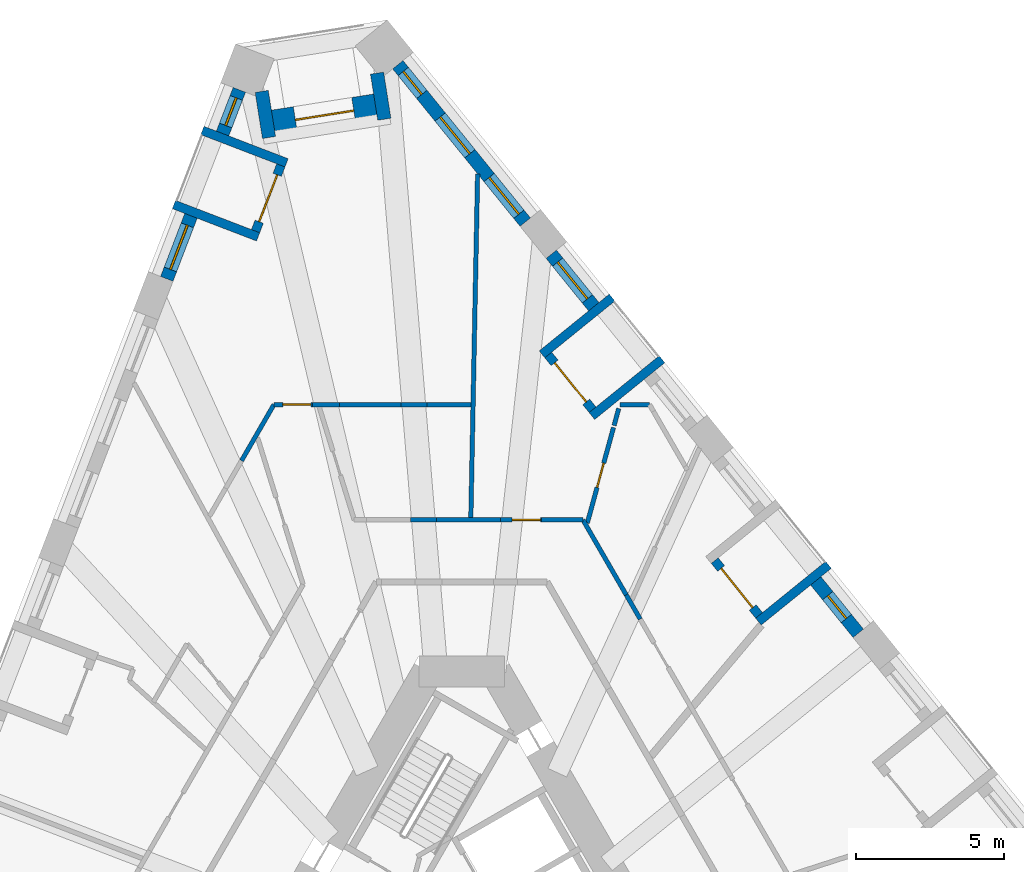
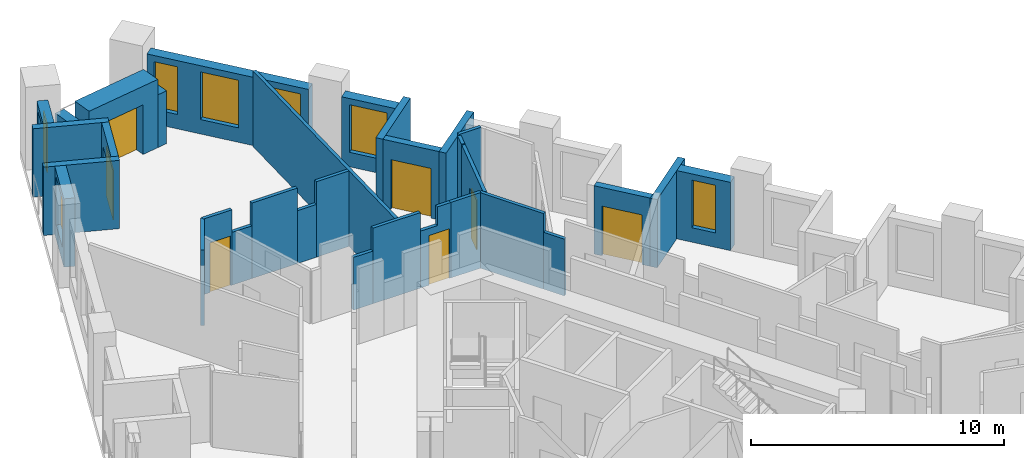
# One storey, part 9 of 14: 32 walls, 7 doors, 7 windows, 14 openings.
"""IFC4 building model written with IfcOpenShell, lengths in metres."""

from ifc_helpers import new_model, si_unit, direction, frame, frame_2d, origin, place, context, subcontext, project, spatial, polyline, rectangle, outline, extrude, material, layer, layer_set, type_object, element, fill, save


model = new_model("IFC4")

# Units and contexts
model_context = context("Model", 3, precision=1e-05, world=origin(), true_north=direction((0.0, 1.0)))
body_context = subcontext(model_context, "Body", "Model", "MODEL_VIEW")
ifc_project = project(units=[si_unit("LENGTHUNIT", "METRE"), si_unit("AREAUNIT", "SQUARE_METRE"), si_unit("VOLUMEUNIT", "CUBIC_METRE"), si_unit("PLANEANGLEUNIT", "RADIAN"), si_unit("MASSUNIT", "GRAM", prefix="KILO")], contexts=[model_context])

# Site, building, storey
site_placement = place(None, origin())
site = spatial("IfcSite", under=ifc_project, at=site_placement, CompositionType="ELEMENT")
building_placement = place(site_placement, origin())
building = spatial("IfcBuilding", under=site, at=building_placement, Name="Tramontana Tower", CompositionType="ELEMENT")
storey_placement = place(building_placement, frame((0.0, 0.0, 71.199951171875)))
storey = spatial("IfcBuildingStorey", under=building, at=storey_placement, Name="L15", CompositionType="ELEMENT", Elevation=71.199951171875)

# Wall, opening, window
ifc_material_1 = material(Name="Precast concrete 60 MPa", Category="concrete")
ifc_layer_1 = layer(ifc_material_1, 0.449951171875)
ifc_layer_set_1 = layer_set([ifc_layer_1], Name="Precast concrete 60 MPa, 450 mm")
wall_type_1 = type_object("IfcWallType", Name="EW1 Stone-faced precast wall 450", PredefinedType="SOLIDWALL", material=ifc_layer_set_1)
wall_1_placement = place(storey_placement, frame((-7.521728515625, 30.14453125, 0.0), z_axis=(0.0, 0.0, 1.0), x_axis=(-0.358431261356, -0.933556120907, 0.0)))
wall_1 = element("IfcWall", 1, at=wall_1_placement, inside=storey, type_object=wall_type_1, Name="External wall L15 face 0 bay 1", PredefinedType="SOLIDWALL", context=body_context, shape_type="SweptSolid", body=[
    extrude(rectangle(XDim=1.5830078125, YDim=0.449951171875, at=frame_2d((0.79150390625, 0.0))), origin(), (0.0, 0.0, 1.0), 3.300048828125),
])
opening_1_placement = place(wall_1_placement, frame((0.29150390625, 0.0, 0.699951171875)))
opening_1 = element("IfcOpeningElement", 2, at=opening_1_placement, cuts=wall_1, Name="Opening N1", PredefinedType="OPENING", context=body_context, shape_type="SweptSolid", body=[
    extrude(rectangle(XDim=1.0, YDim=2.300048828125, at=frame_2d((0.5, 1.14990234375))), frame((0.0, 0.23486328125, 0.0), z_axis=(0.0, -1.0, 0.0), x_axis=(1.0, 0.0, 0.0)), (0.0, 0.0, 1.0), 0.469970703125),
])
ifc_material_2 = material(Name="Aluminum frame, double glazing unit", Category="aluminium")
window_type_1 = type_object("IfcWindowType", Name="N1 Window 1 x 2.3", PartitioningType="SINGLE_PANEL", PredefinedType="WINDOW", material=ifc_material_2)
window_1_placement = place(opening_1_placement, origin())
window_1 = element("IfcWindow", 3, at=window_1_placement, inside=storey, type_object=window_type_1, Name="Window N1 L15 face 0 module 1", OverallHeight=2.300048828125, OverallWidth=1.0, PartitioningType="SINGLE_PANEL", PredefinedType="WINDOW", context=body_context, shape_type="SweptSolid", body=[
    extrude(rectangle(XDim=1.0, YDim=2.300048828125, at=frame_2d((0.5, 1.14990234375))), frame((0.0, 0.030029296875, 0.0), z_axis=(0.0, -1.0, 0.0), x_axis=(1.0, 0.0, 0.0)), (0.0, 0.0, 1.0), 0.06005859375),
])
fill(opening_1, window_1)

wall_2_placement = place(storey_placement, frame((-9.157958984375, 25.8818359375, 0.0), z_axis=(0.0, 0.0, 1.0), x_axis=(-0.358355550725, -0.933585185864, 0.0)))
wall_2 = element("IfcWall", 4, at=wall_2_placement, inside=storey, type_object=wall_type_1, Name="External wall L15 face 0 bay 1", PredefinedType="SOLIDWALL", context=body_context, shape_type="SweptSolid", body=[
    extrude(rectangle(XDim=2.282958984375, YDim=0.449951171875, at=frame_2d((1.1416015625, 0.0))), origin(), (0.0, 0.0, 1.0), 3.300048828125),
])
opening_2_placement = place(wall_2_placement, frame((0.341552734375, 0.0, 0.699951171875)))
opening_2 = element("IfcOpeningElement", 5, at=opening_2_placement, cuts=wall_2, Name="Opening M1", PredefinedType="OPENING", context=body_context, shape_type="SweptSolid", body=[
    extrude(rectangle(XDim=1.60009765625, YDim=2.300048828125, at=frame_2d((0.800048828125, 1.14990234375))), frame((0.0, 0.23486328125, 0.0), z_axis=(0.0, -1.0, 0.0), x_axis=(1.0, 0.0, 0.0)), (0.0, 0.0, 1.0), 0.469970703125),
])
ifc_material_3 = material(Name="Aluminum frame, double glazing unit", Category="aluminium")
window_type_2 = type_object("IfcWindowType", Name="M1 Window 1.6 x 2.3", PartitioningType="SINGLE_PANEL", PredefinedType="WINDOW", material=ifc_material_3)
window_2_placement = place(opening_2_placement, origin())
window_2 = element("IfcWindow", 6, at=window_2_placement, inside=storey, type_object=window_type_2, Name="Window M1 L15 face 0 module 3", OverallHeight=2.300048828125, OverallWidth=1.60009765625, PartitioningType="SINGLE_PANEL", PredefinedType="WINDOW", context=body_context, shape_type="SweptSolid", body=[
    extrude(rectangle(XDim=1.60009765625, YDim=2.300048828125, at=frame_2d((0.800048828125, 1.14990234375))), frame((0.0, 0.030029296875, 0.0), z_axis=(0.0, -1.0, 0.0), x_axis=(1.0, 0.0, 0.0)), (0.0, 0.0, 1.0), 0.06005859375),
])
fill(opening_2, window_2)

wall_3_placement = place(storey_placement, frame((13.412109375, 11.76171875, 0.0), z_axis=(0.0, 0.0, 1.0), x_axis=(-0.629339730135, 0.777130300576, 0.0)))
wall_3 = element("IfcWall", 7, at=wall_3_placement, inside=storey, type_object=wall_type_1, Name="External wall L15 face 2 bay 4", PredefinedType="SOLIDWALL", context=body_context, shape_type="SweptSolid", body=[
    extrude(rectangle(XDim=2.282958984375, YDim=0.449951171875, at=frame_2d((1.1416015625, 0.0))), origin(), (0.0, 0.0, 1.0), 3.300048828125),
])
opening_3_placement = place(wall_3_placement, frame((0.6416015625, 0.0, 0.699951171875)))
opening_3 = element("IfcOpeningElement", 8, at=opening_3_placement, cuts=wall_3, Name="Opening N1", PredefinedType="OPENING", context=body_context, shape_type="SweptSolid", body=[
    extrude(rectangle(XDim=1.0, YDim=2.300048828125, at=frame_2d((0.5, 1.14990234375))), frame((0.0, 0.23486328125, 0.0), z_axis=(0.0, -1.0, 0.0), x_axis=(1.0, 0.0, 0.0)), (0.0, 0.0, 1.0), 0.469970703125),
])
window_3_placement = place(opening_3_placement, origin())
window_3 = element("IfcWindow", 9, at=window_3_placement, inside=storey, type_object=window_type_1, Name="Window N1 L15 face 2 module 10", OverallHeight=2.300048828125, OverallWidth=1.0, PartitioningType="SINGLE_PANEL", PredefinedType="WINDOW", context=body_context, shape_type="SweptSolid", body=[
    extrude(rectangle(XDim=1.0, YDim=2.300048828125, at=frame_2d((0.5, 1.14990234375))), frame((0.0, 0.030029296875, 0.0), z_axis=(0.0, -1.0, 0.0), x_axis=(1.0, 0.0, 0.0)), (0.0, 0.0, 1.0), 0.06005859375),
])
fill(opening_3, window_3)

wall_4_placement = place(storey_placement, frame((4.46630859375, 22.80859375, 0.0), z_axis=(0.0, 0.0, 1.0), x_axis=(-0.629275139402, 0.777182603337, 0.0)))
wall_4 = element("IfcWall", 10, at=wall_4_placement, inside=storey, type_object=wall_type_1, Name="External wall L15 face 2 bay 5", PredefinedType="SOLIDWALL", context=body_context, shape_type="SweptSolid", body=[
    extrude(rectangle(XDim=2.28271484375, YDim=0.449951171875, at=frame_2d((1.141357421875, 0.0))), origin(), (0.0, 0.0, 1.0), 3.300048828125),
])
opening_4_placement = place(wall_4_placement, frame((0.341552734375, 0.0, 0.699951171875)))
opening_4 = element("IfcOpeningElement", 11, at=opening_4_placement, cuts=wall_4, Name="Opening M1", PredefinedType="OPENING", context=body_context, shape_type="SweptSolid", body=[
    extrude(rectangle(XDim=1.60009765625, YDim=2.300048828125, at=frame_2d((0.800048828125, 1.14990234375))), frame((0.0, 0.23486328125, 0.0), z_axis=(0.0, -1.0, 0.0), x_axis=(1.0, 0.0, 0.0)), (0.0, 0.0, 1.0), 0.469970703125),
])
window_4_placement = place(opening_4_placement, origin())
window_4 = element("IfcWindow", 12, at=window_4_placement, inside=storey, type_object=window_type_2, Name="Window M1 L15 face 2 module 15", OverallHeight=2.300048828125, OverallWidth=1.60009765625, PartitioningType="SINGLE_PANEL", PredefinedType="WINDOW", context=body_context, shape_type="SweptSolid", body=[
    extrude(rectangle(XDim=1.60009765625, YDim=2.300048828125, at=frame_2d((0.800048828125, 1.14990234375))), frame((0.0, 0.030029296875, 0.0), z_axis=(0.0, -1.0, 0.0), x_axis=(1.0, 0.0, 0.0)), (0.0, 0.0, 1.0), 0.06005859375),
])
fill(opening_4, window_4)

# Wall, openings, windows
wall_5_placement = place(storey_placement, frame((2.148681640625, 25.6708984375, 0.0), z_axis=(0.0, 0.0, 1.0), x_axis=(-0.629339730135, 0.777130300576, 0.0)))
wall_5 = element("IfcWall", 13, at=wall_5_placement, inside=storey, type_object=wall_type_1, Name="External wall L15 face 2 bay 6", PredefinedType="SOLIDWALL", context=body_context, shape_type="SweptSolid", body=[
    extrude(rectangle(XDim=6.848876953125, YDim=0.449951171875, at=frame_2d((3.42431640625, 0.0))), origin(), (0.0, 0.0, 1.0), 3.300048828125),
])
opening_5_placement = place(wall_5_placement, frame((0.341552734375, 0.0, 0.699951171875)))
opening_5 = element("IfcOpeningElement", 14, at=opening_5_placement, cuts=wall_5, Name="Opening M1", PredefinedType="OPENING", context=body_context, shape_type="SweptSolid", body=[
    extrude(rectangle(XDim=1.60009765625, YDim=2.300048828125, at=frame_2d((0.800048828125, 1.14990234375))), frame((0.0, 0.23486328125, 0.0), z_axis=(0.0, -1.0, 0.0), x_axis=(1.0, 0.0, 0.0)), (0.0, 0.0, 1.0), 0.469970703125),
])
opening_6_placement = place(wall_5_placement, frame((2.974365234375, 0.0, 0.699951171875)))
opening_6 = element("IfcOpeningElement", 15, at=opening_6_placement, cuts=wall_5, Name="Opening M1", PredefinedType="OPENING", context=body_context, shape_type="SweptSolid", body=[
    extrude(rectangle(XDim=1.60009765625, YDim=2.300048828125, at=frame_2d((0.800048828125, 1.14990234375))), frame((0.0, 0.23486328125, 0.0), z_axis=(0.0, -1.0, 0.0), x_axis=(1.0, 0.0, 0.0)), (0.0, 0.0, 1.0), 0.469970703125),
])
opening_7_placement = place(wall_5_placement, frame((5.557373046875, 0.0, 0.699951171875)))
opening_7 = element("IfcOpeningElement", 16, at=opening_7_placement, cuts=wall_5, Name="Opening N1", PredefinedType="OPENING", context=body_context, shape_type="SweptSolid", body=[
    extrude(rectangle(XDim=1.0, YDim=2.300048828125, at=frame_2d((0.5, 1.14990234375))), frame((0.0, 0.23486328125, 0.0), z_axis=(0.0, -1.0, 0.0), x_axis=(1.0, 0.0, 0.0)), (0.0, 0.0, 1.0), 0.469970703125),
])
window_5_placement = place(opening_5_placement, origin())
window_5 = element("IfcWindow", 17, at=window_5_placement, inside=storey, type_object=window_type_2, Name="Window M1 L15 face 2 module 16", OverallHeight=2.300048828125, OverallWidth=1.60009765625, PartitioningType="SINGLE_PANEL", PredefinedType="WINDOW", context=body_context, shape_type="SweptSolid", body=[
    extrude(rectangle(XDim=1.60009765625, YDim=2.300048828125, at=frame_2d((0.800048828125, 1.14990234375))), frame((0.0, 0.030029296875, 0.0), z_axis=(0.0, -1.0, 0.0), x_axis=(1.0, 0.0, 0.0)), (0.0, 0.0, 1.0), 0.06005859375),
])
fill(opening_5, window_5)
window_6_placement = place(opening_6_placement, origin())
window_6 = element("IfcWindow", 18, at=window_6_placement, inside=storey, type_object=window_type_2, Name="Window M1 L15 face 2 module 17", OverallHeight=2.300048828125, OverallWidth=1.60009765625, PartitioningType="SINGLE_PANEL", PredefinedType="WINDOW", context=body_context, shape_type="SweptSolid", body=[
    extrude(rectangle(XDim=1.60009765625, YDim=2.300048828125, at=frame_2d((0.800048828125, 1.14990234375))), frame((0.0, 0.030029296875, 0.0), z_axis=(0.0, -1.0, 0.0), x_axis=(1.0, 0.0, 0.0)), (0.0, 0.0, 1.0), 0.06005859375),
])
fill(opening_6, window_6)
window_7_placement = place(opening_7_placement, origin())
window_7 = element("IfcWindow", 19, at=window_7_placement, inside=storey, type_object=window_type_1, Name="Window N1 L15 face 2 module 18", OverallHeight=2.300048828125, OverallWidth=1.0, PartitioningType="SINGLE_PANEL", PredefinedType="WINDOW", context=body_context, shape_type="SweptSolid", body=[
    extrude(rectangle(XDim=1.0, YDim=2.300048828125, at=frame_2d((0.5, 1.14990234375))), frame((0.0, 0.030029296875, 0.0), z_axis=(0.0, -1.0, 0.0), x_axis=(1.0, 0.0, 0.0)), (0.0, 0.0, 1.0), 0.06005859375),
])
fill(opening_7, window_7)

# Walls
for number, where, z_axis, x_axis, name in (
    (20, (-6.765625, 30.09130859375, 0.0), (0.0, 0.0, 1.0), (0.156446802793, -0.987686386408, 0.0), "Corner loggia side wall L15 K10l"),
    (21, (-2.8642578125, 30.709228515625, 0.0), (0.0, 0.0, 1.0), (0.156446802793, -0.987686386408, 0.0), "Corner loggia side wall L15 K10r"),
):
    element("IfcWall", number, at=place(storey_placement, frame(where, z_axis=z_axis, x_axis=x_axis)), inside=storey, type_object=wall_type_1, Name=name, PredefinedType="SOLIDWALL", context=body_context, shape_type="SweptSolid", body=[
        extrude(rectangle(XDim=1.579345703125, YDim=0.449951171875, at=frame_2d((0.78955078125, 0.0))), origin(), (0.0, 0.0, 1.0), 2.550048828125),
    ])

# Wall, opening, door
ifc_material_4 = material(Name="Precast concrete 60 MPa", Category="concrete")
ifc_layer_2 = layer(ifc_material_4, 0.89990234375)
ifc_layer_set_2 = layer_set([ifc_layer_2], Name="EW2 Stone-faced corner loggia wall 900")
wall_type_2 = type_object("IfcWallType", Name="EW2 Stone-faced corner loggia wall 900", PredefinedType="SOLIDWALL", material=ifc_layer_set_2)
wall_6_placement = place(storey_placement, frame((-6.36669921875, 29.01123046875, 0.0), z_axis=(0.0, 0.0, 1.0), x_axis=(0.987683654859, 0.156464046744, 0.0)))
wall_6 = element("IfcWall", 22, at=wall_6_placement, inside=storey, type_object=wall_type_2, Name="Corner loggia wall L15 K10", PredefinedType="SOLIDWALL", context=body_context, shape_type="SweptSolid", body=[
    extrude(rectangle(XDim=3.5, YDim=0.89990234375, at=frame_2d((1.75, 0.0))), origin(), (0.0, 0.0, 1.0), 3.300048828125),
])
opening_8_placement = place(wall_6_placement, frame((0.75, 0.0, 0.0)))
opening_8 = element("IfcOpeningElement", 23, at=opening_8_placement, cuts=wall_6, Name="Opening BD-10C", PredefinedType="OPENING", context=body_context, shape_type="SweptSolid", body=[
    extrude(rectangle(XDim=2.0, YDim=2.39990234375, at=frame_2d((1.0, 1.199951171875))), frame((0.0, 0.4599609375, 0.0), z_axis=(0.0, -1.0, 0.0), x_axis=(1.0, 0.0, 0.0)), (0.0, 0.0, 1.0), 0.919921875),
])
ifc_material_5 = material(Name="Aluminum frame, double glazing unit", Category="aluminium")
door_type_1 = type_object("IfcDoorType", Name="BC1 Sliding door 2 x 2.4", OperationType="SLIDING_TO_LEFT", PredefinedType="DOOR", material=ifc_material_5)
door_1_placement = place(opening_8_placement, origin())
door_1 = element("IfcDoor", 24, at=door_1_placement, inside=storey, type_object=door_type_1, Name="Corner loggia door L15 K10", OperationType="SLIDING_TO_LEFT", OverallHeight=2.39990234375, OverallWidth=2.0, PredefinedType="DOOR", context=body_context, shape_type="SweptSolid", body=[
    extrude(rectangle(XDim=2.0, YDim=2.39990234375, at=frame_2d((1.0, 1.199951171875))), frame((0.0, 0.02490234375, 0.0), z_axis=(0.0, -1.0, 0.0), x_axis=(1.0, 0.0, 0.0)), (0.0, 0.0, 1.0), 0.050048828125),
])
fill(opening_8, door_1)

ifc_material_6 = material(Name="Precast concrete 60 MPa", Category="concrete")
ifc_layer_3 = layer(ifc_material_6, 0.300048828125)
ifc_layer_set_3 = layer_set([ifc_layer_3], Name="LW1 Stone-faced loggia wall 300")
wall_type_3 = type_object("IfcWallType", Name="LW1 Stone-faced loggia wall 300", PredefinedType="SOLIDWALL", material=ifc_layer_set_3)
wall_7_placement = place(storey_placement, frame((-6.119384765625, 27.58935546875, 0.0), z_axis=(0.0, 0.0, 1.0), x_axis=(-0.358354292693, -0.933585668757, 0.0)))
wall_7 = element("IfcWall", 25, at=wall_7_placement, inside=storey, type_object=wall_type_3, Name="Loggia wall L15 G1S0.1", PredefinedType="SOLIDWALL", context=body_context, shape_type="SweptSolid", body=[
    extrude(rectangle(XDim=2.383056640625, YDim=0.300048828125, at=frame_2d((1.19140625, 0.0))), origin(), (0.0, 0.0, 1.0), 3.300048828125),
])
opening_9_placement = place(wall_7_placement, frame((0.341552734375, 0.0, 0.0)))
opening_9 = element("IfcOpeningElement", 26, at=opening_9_placement, cuts=wall_7, Name="Opening BD-1S0-01", PredefinedType="OPENING", context=body_context, shape_type="SweptSolid", body=[
    extrude(rectangle(XDim=1.699951171875, YDim=2.39990234375, at=frame_2d((0.85009765625, 1.199951171875))), frame((0.0, 0.159912109375, 0.0), z_axis=(0.0, -1.0, 0.0), x_axis=(1.0, 0.0, 0.0)), (0.0, 0.0, 1.0), 0.320068359375),
])
ifc_material_7 = material(Name="Aluminum frame, double glazing unit", Category="aluminium")
door_type_2 = type_object("IfcDoorType", Name="BD1 Sliding door 1.7 x 2.4", OperationType="SLIDING_TO_LEFT", PredefinedType="DOOR", material=ifc_material_7)
door_2_placement = place(opening_9_placement, origin())
door_2 = element("IfcDoor", 27, at=door_2_placement, inside=storey, type_object=door_type_2, Name="Loggia door L15 G1S0.1", OperationType="SLIDING_TO_LEFT", OverallHeight=2.39990234375, OverallWidth=1.699951171875, PredefinedType="DOOR", context=body_context, shape_type="SweptSolid", body=[
    extrude(rectangle(XDim=1.699951171875, YDim=2.39990234375, at=frame_2d((0.85009765625, 1.199951171875))), frame((0.0, 0.02490234375, 0.0), z_axis=(0.0, -1.0, 0.0), x_axis=(1.0, 0.0, 0.0)), (0.0, 0.0, 1.0), 0.050048828125),
])
fill(opening_9, door_2)

# Walls
for number, where, z_axis, x_axis, name in (
    (28, (-8.77294921875, 28.7685546875, 0.0), (0.0, 0.0, 1.0), (0.933580593625, -0.358367514161, 0.0), "Loggia return L15 G1S0.1a"),
    (29, (-9.734375, 26.263671875, 0.0), (0.0, 0.0, 1.0), (0.933580593625, -0.358367514161, 0.0), "Loggia return L15 G1S0.1b"),
):
    element("IfcWall", number, at=place(storey_placement, frame(where, z_axis=z_axis, x_axis=x_axis)), inside=storey, type_object=wall_type_3, Name=name, PredefinedType="SOLIDWALL", context=body_context, shape_type="SweptSolid", body=[
        extrude(rectangle(XDim=3.050048828125, YDim=0.300048828125, at=frame_2d((1.52490234375, 0.0))), origin(), (0.0, 0.0, 1.0), 3.300048828125),
    ])

# Wall, opening, door
wall_8_placement = place(storey_placement, frame((10.057373046875, 12.36865234375, 0.0), z_axis=(0.0, 0.0, 1.0), x_axis=(-0.629257171563, 0.777197151331, 0.0)))
wall_8 = element("IfcWall", 30, at=wall_8_placement, inside=storey, type_object=wall_type_3, Name="Loggia wall L15 G1S2.10", PredefinedType="SOLIDWALL", context=body_context, shape_type="SweptSolid", body=[
    extrude(rectangle(XDim=2.383056640625, YDim=0.300048828125, at=frame_2d((1.19140625, 0.0))), origin(), (0.0, 0.0, 1.0), 3.300048828125),
])
opening_10_placement = place(wall_8_placement, frame((0.341552734375, 0.0, 0.0)))
opening_10 = element("IfcOpeningElement", 31, at=opening_10_placement, cuts=wall_8, Name="Opening BD-1S2-10", PredefinedType="OPENING", context=body_context, shape_type="SweptSolid", body=[
    extrude(rectangle(XDim=1.699951171875, YDim=2.39990234375, at=frame_2d((0.85009765625, 1.199951171875))), frame((0.0, 0.159912109375, 0.0), z_axis=(0.0, -1.0, 0.0), x_axis=(1.0, 0.0, 0.0)), (0.0, 0.0, 1.0), 0.320068359375),
])
door_3_placement = place(opening_10_placement, origin())
door_3 = element("IfcDoor", 32, at=door_3_placement, inside=storey, type_object=door_type_2, Name="Loggia door L15 G1S2.10", OperationType="SLIDING_TO_LEFT", OverallHeight=2.39990234375, OverallWidth=1.699951171875, PredefinedType="DOOR", context=body_context, shape_type="SweptSolid", body=[
    extrude(rectangle(XDim=1.699951171875, YDim=2.39990234375, at=frame_2d((0.85009765625, 1.199951171875))), frame((0.0, 0.02490234375, 0.0), z_axis=(0.0, -1.0, 0.0), x_axis=(1.0, 0.0, 0.0)), (0.0, 0.0, 1.0), 0.050048828125),
])
fill(opening_10, door_3)

# Wall
wall_9_placement = place(storey_placement, frame((12.405517578125, 14.0771484375, 0.0), z_axis=(0.0, 0.0, 1.0), x_axis=(-0.777153523895, -0.629311052102, 0.0)))
element("IfcWall", 33, at=wall_9_placement, inside=storey, type_object=wall_type_3, Name="Loggia return L15 G1S2.10a", PredefinedType="SOLIDWALL", context=body_context, shape_type="SweptSolid", body=[
    extrude(rectangle(XDim=3.050048828125, YDim=0.300048828125, at=frame_2d((1.52490234375, 0.0))), origin(), (0.0, 0.0, 1.0), 3.300048828125),
])

# Wall, opening, door
wall_10_placement = place(storey_placement, frame((4.42578125, 19.323486328125, 0.0), z_axis=(0.0, 0.0, 1.0), x_axis=(-0.629369155682, 0.777106470103, 0.0)))
wall_10 = element("IfcWall", 34, at=wall_10_placement, inside=storey, type_object=wall_type_3, Name="Loggia wall L15 G1S2.13", PredefinedType="SOLIDWALL", context=body_context, shape_type="SweptSolid", body=[
    extrude(rectangle(XDim=2.383056640625, YDim=0.300048828125, at=frame_2d((1.19140625, 0.0))), origin(), (0.0, 0.0, 1.0), 3.300048828125),
])
opening_11_placement = place(wall_10_placement, frame((0.341552734375, 0.0, 0.0)))
opening_11 = element("IfcOpeningElement", 35, at=opening_11_placement, cuts=wall_10, Name="Opening BD-1S2-13", PredefinedType="OPENING", context=body_context, shape_type="SweptSolid", body=[
    extrude(rectangle(XDim=1.699951171875, YDim=2.39990234375, at=frame_2d((0.85009765625, 1.199951171875))), frame((0.0, 0.159912109375, 0.0), z_axis=(0.0, -1.0, 0.0), x_axis=(1.0, 0.0, 0.0)), (0.0, 0.0, 1.0), 0.320068359375),
])
door_4_placement = place(opening_11_placement, origin())
door_4 = element("IfcDoor", 36, at=door_4_placement, inside=storey, type_object=door_type_2, Name="Loggia door L15 G1S2.13", OperationType="SLIDING_TO_LEFT", OverallHeight=2.39990234375, OverallWidth=1.699951171875, PredefinedType="DOOR", context=body_context, shape_type="SweptSolid", body=[
    extrude(rectangle(XDim=1.699951171875, YDim=2.39990234375, at=frame_2d((0.85009765625, 1.199951171875))), frame((0.0, 0.02490234375, 0.0), z_axis=(0.0, -1.0, 0.0), x_axis=(1.0, 0.0, 0.0)), (0.0, 0.0, 1.0), 0.050048828125),
])
fill(opening_11, door_4)

# Walls
for number, where, z_axis, x_axis, name in (
    (37, (6.77392578125, 21.03173828125, 0.0), (0.0, 0.0, 1.0), (-0.777153523895, -0.629311052102, 0.0), "Loggia return L15 G1S2.13a"),
    (38, (5.08544921875, 23.116943359375, 0.0), (0.0, 0.0, 1.0), (-0.777153523895, -0.629311052102, 0.0), "Loggia return L15 G1S2.13b"),
):
    element("IfcWall", number, at=place(storey_placement, frame(where, z_axis=z_axis, x_axis=x_axis)), inside=storey, type_object=wall_type_3, Name=name, PredefinedType="SOLIDWALL", context=body_context, shape_type="SweptSolid", body=[
        extrude(rectangle(XDim=3.050048828125, YDim=0.300048828125, at=frame_2d((1.52490234375, 0.0))), origin(), (0.0, 0.0, 1.0), 3.300048828125),
    ])
ifc_material_8 = material(Name="Gypsum board partition")
ifc_layer_4 = layer(ifc_material_8, 0.14990234375)
ifc_layer_set_4 = layer_set([ifc_layer_4], Name="PARTITION 150")
wall_type_4 = type_object("IfcWallType", Name="PARTITION 150", PredefinedType="PARTITIONING", material=ifc_layer_set_4)
wall_11_placement = place(storey_placement, frame((-7.446533203125, 17.60205078125, 0.0), z_axis=(0.0, 0.0, 1.0), x_axis=(0.499973180286, 0.8660408876, 0.0)))
element("IfcWall", 39, at=wall_11_placement, inside=storey, type_object=wall_type_4, Name="Wall v11-pw22-2", PredefinedType="PARTITIONING", context=body_context, shape_type="SweptSolid", body=[
    extrude(rectangle(XDim=2.19140625, YDim=0.14990234375, at=frame_2d((1.095703125, 0.0))), origin(), (0.0, 0.0, 1.0), 3.650146484375),
])

# Wall, opening, door
wall_12_placement = place(storey_placement, frame((-6.350830078125, 19.5, 0.0), z_axis=(0.0, 0.0, 1.0), x_axis=(1.0, 0.0, 0.0)))
wall_12 = element("IfcWall", 40, at=wall_12_placement, inside=storey, type_object=wall_type_4, Name="Wall v11-pw25-0", PredefinedType="PARTITIONING", context=body_context, shape_type="SweptSolid", body=[
    extrude(rectangle(XDim=1.311279296875, YDim=0.14990234375, at=frame_2d((0.65576171875, 0.0))), origin(), (0.0, 0.0, 1.0), 3.650146484375),
])
opening_12_placement = place(wall_12_placement, frame((0.298095703125, 0.0, 0.0)))
opening_12 = element("IfcOpeningElement", 41, at=opening_12_placement, cuts=wall_12, Name="Opening B1B-03", PredefinedType="OPENING", context=body_context, shape_type="SweptSolid", body=[
    extrude(rectangle(XDim=0.949951171875, YDim=2.39990234375, at=frame_2d((0.47509765625, 1.199951171875))), frame((0.0, 0.0849609375, 0.0), z_axis=(0.0, -1.0, 0.0), x_axis=(1.0, 0.0, 0.0)), (0.0, 0.0, 1.0), 0.169921875),
])
ifc_material_9 = material(Name="Painted timber", Category="wood")
door_type_3 = type_object("IfcDoorType", Name="DOOR ROOM 950", OperationType="SINGLE_SWING_LEFT", PredefinedType="DOOR", material=ifc_material_9)
door_5_placement = place(opening_12_placement, origin())
door_5 = element("IfcDoor", 42, at=door_5_placement, inside=storey, type_object=door_type_3, Name="Door B1B-03", OperationType="SINGLE_SWING_LEFT", OverallHeight=2.39990234375, OverallWidth=0.949951171875, PredefinedType="DOOR", context=body_context, shape_type="SweptSolid", body=[
    extrude(rectangle(XDim=0.949951171875, YDim=2.39990234375, at=frame_2d((0.47509765625, 1.199951171875))), frame((0.0, 0.02490234375, 0.0), z_axis=(0.0, -1.0, 0.0), x_axis=(1.0, 0.0, 0.0)), (0.0, 0.0, 1.0), 0.050048828125),
])
fill(opening_12, door_5)

# Walls
wall_13_placement = place(storey_placement, frame((-5.03955078125, 19.5, 0.0), z_axis=(0.0, 0.0, 1.0), x_axis=(1.0, 0.0, 0.0)))
element("IfcWall", 43, at=wall_13_placement, inside=storey, type_object=wall_type_4, Name="Wall v11-pw25-1", PredefinedType="PARTITIONING", context=body_context, shape_type="SweptSolid", body=[
    extrude(rectangle(XDim=0.89892578125, YDim=0.14990234375, at=frame_2d((0.449462890625, 0.0))), origin(), (0.0, 0.0, 1.0), 2.550048828125),
])
wall_14_placement = place(storey_placement, frame((-4.140625, 19.5, 0.0), z_axis=(0.0, 0.0, 1.0), x_axis=(1.0, 0.0, 0.0)))
element("IfcWall", 44, at=wall_14_placement, inside=storey, type_object=wall_type_4, Name="Wall v11-pw25-2", PredefinedType="PARTITIONING", context=body_context, shape_type="SweptSolid", body=[
    extrude(rectangle(XDim=2.079833984375, YDim=0.14990234375, at=frame_2d((1.0400390625, 0.0))), origin(), (0.0, 0.0, 1.0), 3.650146484375),
])
wall_15_placement = place(storey_placement, frame((-2.060791015625, 19.5, 0.0), z_axis=(0.0, 0.0, 1.0), x_axis=(1.0, 0.0, 0.0)))
element("IfcWall", 45, at=wall_15_placement, inside=storey, type_object=wall_type_4, Name="Wall v11-pw25-3", PredefinedType="PARTITIONING", context=body_context, shape_type="SweptSolid", body=[
    extrude(rectangle(XDim=0.878173828125, YDim=0.14990234375, at=frame_2d((0.43896484375, 0.0))), origin(), (0.0, 0.0, 1.0), 2.550048828125),
])
wall_16_placement = place(storey_placement, frame((-1.1826171875, 19.5, 0.0), z_axis=(0.0, 0.0, 1.0), x_axis=(1.0, 0.0, 0.0)))
element("IfcWall", 46, at=wall_16_placement, inside=storey, type_object=wall_type_4, Name="Wall v11-pw25-4", PredefinedType="PARTITIONING", context=body_context, shape_type="SweptSolid", body=[
    extrude(rectangle(XDim=1.4912109375, YDim=0.14990234375, at=frame_2d((0.74560546875, 0.0))), origin(), (0.0, 0.0, 1.0), 3.650146484375),
])
wall_17_placement = place(storey_placement, frame((-1.736328125, 15.60009765625, 0.0), z_axis=(0.0, 0.0, 1.0), x_axis=(1.0, 0.0, 0.0)))
element("IfcWall", 47, at=wall_17_placement, inside=storey, type_object=wall_type_4, Name="Wall v11-pw28-2", PredefinedType="PARTITIONING", context=body_context, shape_type="SweptSolid", body=[
    extrude(rectangle(XDim=0.8779296875, YDim=0.14990234375, at=frame_2d((0.43896484375, 0.0))), origin(), (0.0, 0.0, 1.0), 2.550048828125),
])
wall_18_placement = place(storey_placement, frame((-0.8583984375, 15.60009765625, 0.0), z_axis=(0.0, 0.0, 1.0), x_axis=(1.0, 0.0, 0.0)))
element("IfcWall", 48, at=wall_18_placement, inside=storey, type_object=wall_type_4, Name="Wall v11-pw28-3", PredefinedType="PARTITIONING", context=body_context, shape_type="SweptSolid", body=[
    extrude(rectangle(XDim=2.175048828125, YDim=0.14990234375, at=frame_2d((1.08740234375, 0.0))), origin(), (0.0, 0.0, 1.0), 3.650146484375),
])

# Wall, opening, door
wall_19_placement = place(storey_placement, frame((1.316650390625, 15.60009765625, 0.0), z_axis=(0.0, 0.0, 1.0), x_axis=(1.0, 0.0, 0.0)))
wall_19 = element("IfcWall", 49, at=wall_19_placement, inside=storey, type_object=wall_type_4, Name="Wall v11-pw28-4", PredefinedType="PARTITIONING", context=body_context, shape_type="SweptSolid", body=[
    extrude(outline(polyline([(0.0, 0.0), (1.389892578125, 0.0), (1.389892578125, 3.650146484375), (0.779541015625, 3.650146484375), (0.779541015625, 2.75), (0.0, 2.75), (0.0, 0.0)])), frame((0.0, 0.074951171875, 0.0), z_axis=(0.0, -1.0, 0.0), x_axis=(1.0, 0.0, 0.0)), (0.0, 0.0, 1.0), 0.14990234375),
])
opening_13_placement = place(wall_19_placement, frame((0.389892578125, 0.0, 0.0)))
opening_13 = element("IfcOpeningElement", 50, at=opening_13_placement, cuts=wall_19, Name="Opening B1B-04", PredefinedType="OPENING", context=body_context, shape_type="SweptSolid", body=[
    extrude(rectangle(XDim=0.949951171875, YDim=2.39990234375, at=frame_2d((0.47509765625, 1.199951171875))), frame((0.0, 0.0849609375, 0.0), z_axis=(0.0, -1.0, 0.0), x_axis=(1.0, 0.0, 0.0)), (0.0, 0.0, 1.0), 0.169921875),
])
door_6_placement = place(opening_13_placement, origin())
door_6 = element("IfcDoor", 51, at=door_6_placement, inside=storey, type_object=door_type_3, Name="Door B1B-04", OperationType="SINGLE_SWING_RIGHT", OverallHeight=2.39990234375, OverallWidth=0.949951171875, PredefinedType="DOOR", context=body_context, shape_type="SweptSolid", body=[
    extrude(rectangle(XDim=0.949951171875, YDim=2.39990234375, at=frame_2d((0.47509765625, 1.199951171875))), frame((0.0, 0.02490234375, 0.0), z_axis=(0.0, -1.0, 0.0), x_axis=(1.0, 0.0, 0.0)), (0.0, 0.0, 1.0), 0.050048828125),
])
fill(opening_13, door_6)

# Walls
wall_20_placement = place(storey_placement, frame((2.70654296875, 15.60009765625, 0.0), z_axis=(0.0, 0.0, 1.0), x_axis=(1.0, 0.0, 0.0)))
element("IfcWall", 52, at=wall_20_placement, inside=storey, type_object=wall_type_4, Name="Wall v11-pw28-5", PredefinedType="PARTITIONING", context=body_context, shape_type="SweptSolid", body=[
    extrude(rectangle(XDim=1.392578125, YDim=0.14990234375, at=frame_2d((0.6962890625, 0.0))), origin(), (0.0, 0.0, 1.0), 3.650146484375),
])
wall_21_placement = place(storey_placement, frame((0.537109375, 27.303466796875, 0.0), z_axis=(0.0, 0.0, 1.0), x_axis=(-0.019668669749, -0.999806553004, 0.0)))
element("IfcWall", 53, at=wall_21_placement, inside=storey, type_object=wall_type_4, Name="Wall v11-pw32", PredefinedType="PARTITIONING", context=body_context, shape_type="SweptSolid", body=[
    extrude(rectangle(XDim=11.630615234375, YDim=0.14990234375, at=frame_2d((5.8154296875, 0.0))), origin(), (0.0, 0.0, 1.0), 3.650146484375),
])
wall_22_placement = place(storey_placement, frame((4.09912109375, 15.60009765625, 0.0), z_axis=(0.0, 0.0, 1.0), x_axis=(0.500013600279, -0.866017551517, 0.0)))
element("IfcWall", 54, at=wall_22_placement, inside=storey, type_object=wall_type_4, Name="Wall v11-pw35-0", PredefinedType="PARTITIONING", context=body_context, shape_type="SweptSolid", body=[
    extrude(rectangle(XDim=2.927734375, YDim=0.14990234375, at=frame_2d((1.4638671875, 0.0))), origin(), (0.0, 0.0, 1.0), 3.650146484375),
])
wall_23_placement = place(storey_placement, frame((5.56298828125, 13.064697265625, 0.0), z_axis=(0.0, 0.0, 1.0), x_axis=(0.500033686847, -0.8660059538, 0.0)))
element("IfcWall", 55, at=wall_23_placement, inside=storey, type_object=wall_type_4, Name="Wall v11-pw35-1", PredefinedType="PARTITIONING", context=body_context, shape_type="SweptSolid", body=[
    extrude(rectangle(XDim=0.95068359375, YDim=0.14990234375, at=frame_2d((0.475341796875, 0.0))), origin(), (0.0, 0.0, 1.0), 2.75),
])

# Wall, opening, door
wall_24_placement = place(storey_placement, frame((5.134033203125, 18.72314453125, 0.0), z_axis=(0.0, 0.0, 1.0), x_axis=(-0.264455208526, -0.964397969037, 0.0)))
wall_24 = element("IfcWall", 56, at=wall_24_placement, inside=storey, type_object=wall_type_4, Name="Wall v11-pw36", PredefinedType="PARTITIONING", context=body_context, shape_type="SweptSolid", body=[
    extrude(rectangle(XDim=3.350341796875, YDim=0.14990234375, at=frame_2d((1.67529296875, 0.0))), origin(), (0.0, 0.0, 1.0), 3.650146484375),
])
opening_14_placement = place(wall_24_placement, frame((1.250244140625, 0.0, 0.0)))
opening_14 = element("IfcOpeningElement", 57, at=opening_14_placement, cuts=wall_24, Name="Opening B1B-09", PredefinedType="OPENING", context=body_context, shape_type="SweptSolid", body=[
    extrude(rectangle(XDim=0.85009765625, YDim=2.39990234375, at=frame_2d((0.425048828125, 1.199951171875))), frame((0.0, 0.0849609375, 0.0), z_axis=(0.0, -1.0, 0.0), x_axis=(1.0, 0.0, 0.0)), (0.0, 0.0, 1.0), 0.169921875),
])
ifc_material_10 = material(Name="Painted timber", Category="wood")
door_type_4 = type_object("IfcDoorType", Name="DOOR BATH 850", OperationType="SINGLE_SWING_LEFT", PredefinedType="DOOR", material=ifc_material_10)
door_7_placement = place(opening_14_placement, origin())
door_7 = element("IfcDoor", 58, at=door_7_placement, inside=storey, type_object=door_type_4, Name="Door B1B-09", OperationType="SINGLE_SWING_LEFT", OverallHeight=2.39990234375, OverallWidth=0.85009765625, PredefinedType="DOOR", context=body_context, shape_type="SweptSolid", body=[
    extrude(rectangle(XDim=0.85009765625, YDim=2.39990234375, at=frame_2d((0.425048828125, 1.199951171875))), frame((0.0, 0.02490234375, 0.0), z_axis=(0.0, -1.0, 0.0), x_axis=(1.0, 0.0, 0.0)), (0.0, 0.0, 1.0), 0.050048828125),
])
fill(opening_14, door_7)

# Walls
wall_25_placement = place(storey_placement, frame((5.152587890625, 18.790771484375, 0.0), z_axis=(0.0, 0.0, 1.0), x_axis=(0.264642283769, 0.964346650143, 0.0)))
element("IfcWall", 59, at=wall_25_placement, inside=storey, type_object=wall_type_4, Name="Wall v11-pw37", PredefinedType="PARTITIONING", context=body_context, shape_type="SweptSolid", body=[
    extrude(rectangle(XDim=0.595947265625, YDim=0.14990234375, at=frame_2d((0.2978515625, 0.0))), origin(), (0.0, 0.0, 1.0), 3.650146484375),
])
wall_26_placement = place(storey_placement, frame((5.34716796875, 19.5, 0.0), z_axis=(0.0, 0.0, 1.0), x_axis=(1.0, 0.0, 0.0)))
element("IfcWall", 60, at=wall_26_placement, inside=storey, type_object=wall_type_4, Name="Wall v11-pw38", PredefinedType="PARTITIONING", context=body_context, shape_type="SweptSolid", body=[
    extrude(rectangle(XDim=1.003662109375, YDim=0.14990234375, at=frame_2d((0.501953125, 0.0))), origin(), (0.0, 0.0, 1.0), 3.650146484375),
])

save(model, "model.ifc")
